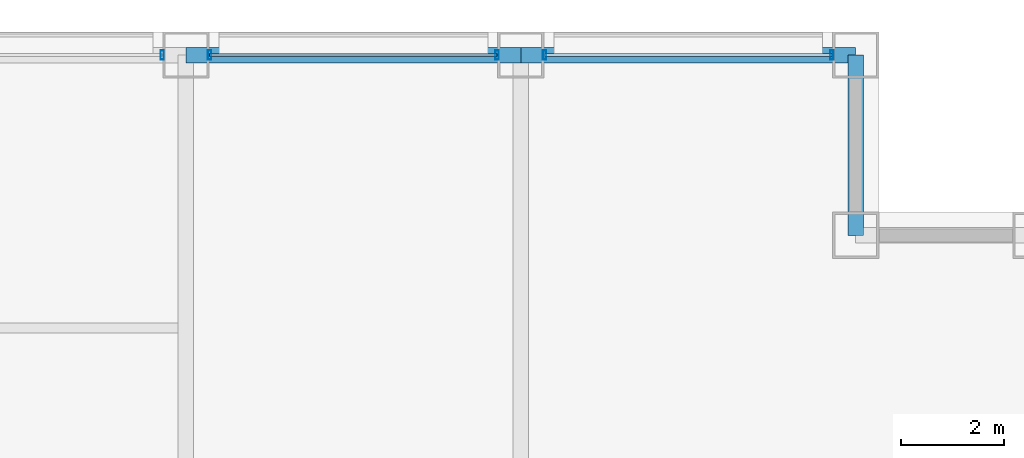
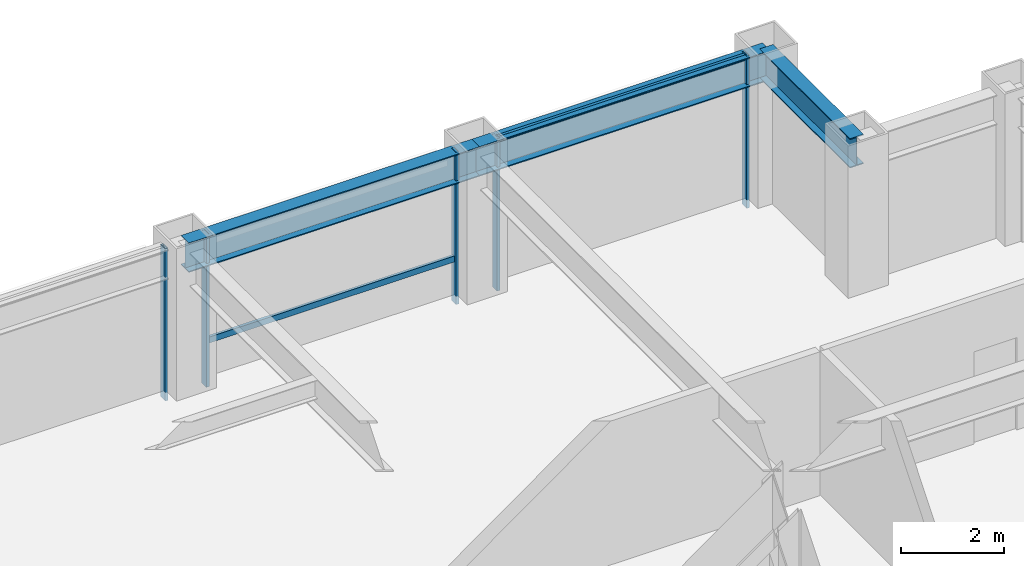
# One storey, part 19 of 29: 7 members, 3 beams, 3 elements without a shape of their own.
"""IFC4 building model written with IfcOpenShell, lengths in metres."""

import ifcopenshell
import ifcopenshell.guid

model = None  # the IFC model being written
_history = None  # IfcOwnerHistory: only IFC2X3 demands one
_inside = {}  # id of a spatial element -> (the spatial element, [elements in it])
_under = {}  # id of a project, library or spatial element -> (it, [spatial elements below it])
_declared = {}  # id of a project -> (the project, [libraries it declares])
_typed = {}  # id of a type object -> (the type object, [elements of that type])
_made_of = {}  # id of a material, layer set ... -> (it, [elements and type objects made of it])


def new_model(schema):
    """Start an empty IFC model of exactly this schema.

    Asked for "IFC4X3", IfcOpenShell would pick the latest addendum, in which some entities
    have other attributes; the version numbers below select the first issue.
    IFC2X3 requires an IfcOwnerHistory on every rooted entity: one is made here for all.
    """
    global model, _history
    if schema == "IFC4X3":
        model = ifcopenshell.file(schema_version=(4, 3, 0, 0))
    else:
        model = ifcopenshell.file(schema=schema)
    _inside.clear()
    _under.clear()
    _declared.clear()
    _typed.clear()
    _made_of.clear()
    _history = None
    if model.schema == "IFC2X3":
        org = make("IfcOrganization", Name="unknown")
        user = make(
            "IfcPersonAndOrganization",
            ThePerson=make("IfcPerson", FamilyName="unknown"),
            TheOrganization=org,
        )
        app = make(
            "IfcApplication",
            ApplicationDeveloper=org,
            Version="unknown",
            ApplicationFullName="unknown",
            ApplicationIdentifier="unknown",
        )
        _history = make(
            "IfcOwnerHistory",
            OwningUser=user,
            OwningApplication=app,
            ChangeAction="ADDED",
            CreationDate=0,
        )
    return model


def make(cls, **values):
    """One entity of the class cls with the attributes given. An attribute that is None is left unset."""
    return model.create_entity(
        cls, **{name: value for name, value in values.items() if value is not None}
    )


def rooted(cls, **values):
    """An entity with a GlobalId (a new one), such as an element, a storey or a relation."""
    return make(cls, GlobalId=ifcopenshell.guid.new(), OwnerHistory=_history, **values)


def si_unit(unit_type, name, prefix=None):
    """IfcSIUnit, for example si_unit("LENGTHUNIT", "METRE", prefix="MILLI")."""
    return make("IfcSIUnit", UnitType=unit_type, Prefix=prefix, Name=name)


def assignment(units):
    """IfcUnitAssignment: the units of a project."""
    return None if units is None else make("IfcUnitAssignment", Units=units)


def point(xyz):
    """IfcCartesianPoint."""
    return None if xyz is None else make("IfcCartesianPoint", Coordinates=xyz)


def direction(xyz):
    """IfcDirection."""
    return None if xyz is None else make("IfcDirection", DirectionRatios=xyz)


def frame(location, z_axis=None, x_axis=None):
    """IfcAxis2Placement3D, a coordinate frame: its origin and axes. An axis left out is left unset."""
    return make(
        "IfcAxis2Placement3D",
        Location=point(location),
        Axis=direction(z_axis),
        RefDirection=direction(x_axis),
    )


def frame_2d(location, x_axis=None):
    """IfcAxis2Placement2D, a coordinate frame in the plane: its origin and x axis."""
    return make(
        "IfcAxis2Placement2D", Location=point(location), RefDirection=direction(x_axis)
    )


def origin():
    """The frame at (0, 0, 0) with its axes left unset."""
    return frame((0.0, 0.0, 0.0))


def origin_2d():
    """The frame at (0, 0) in the plane with its x axis left unset."""
    return frame_2d((0.0, 0.0))


def place(relative_to, where):
    """IfcLocalPlacement: puts the frame where relative to a parent placement (None: the world)."""
    return make(
        "IfcLocalPlacement", PlacementRelTo=relative_to, RelativePlacement=where
    )


def context(
    kind, dimensions, precision=None, world=None, true_north=None, identifier=None
):
    """IfcGeometricRepresentationContext, for example the 3D "Model" context."""
    return make(
        "IfcGeometricRepresentationContext",
        ContextIdentifier=identifier,
        ContextType=kind,
        CoordinateSpaceDimension=dimensions,
        Precision=precision,
        WorldCoordinateSystem=world,
        TrueNorth=true_north,
    )


def subcontext(parent, identifier, kind, view, scale=None):
    """IfcGeometricRepresentationSubContext, for example "Body" below "Model"."""
    return make(
        "IfcGeometricRepresentationSubContext",
        ContextIdentifier=identifier,
        ContextType=kind,
        ParentContext=parent,
        TargetScale=scale,
        TargetView=view,
    )


def project(units=None, contexts=None):
    """IfcProject with its units and contexts."""
    return rooted(
        "IfcProject",
        Name="project",
        RepresentationContexts=contexts,
        UnitsInContext=assignment(units),
    )


def spatial(cls, under=None, at=None, **own):
    """A site, building, storey or space (cls), placed at a placement, below another one or the project."""
    s = rooted(cls, ObjectPlacement=at, **own)
    if under is not None:
        _under.setdefault(under.id(), (under, []))[1].append(s)
    return s


def profile(cls, at=None, kind="AREA", **sizes):
    """A parametric profile (cls). Its sizes go by their IFC names, for example OverallWidth=200.0."""
    return make(cls, ProfileType=kind, Position=at, **sizes)


def hollow_rectangle(**sizes):
    """IfcRectangleHollowProfileDef."""
    return profile("IfcRectangleHollowProfileDef", **sizes)


def i_section(**sizes):
    """IfcIShapeProfileDef."""
    return profile("IfcIShapeProfileDef", **sizes)


def extrude(swept, where, along, depth):
    """IfcExtrudedAreaSolid: the profile swept, set in the frame where, extruded along a direction by depth."""
    return make(
        "IfcExtrudedAreaSolid",
        SweptArea=swept,
        Position=where,
        ExtrudedDirection=direction(along),
        Depth=depth,
    )


def shape(context_of_items, identifier, shape_type, items):
    """IfcShapeRepresentation: the items that make up one representation, for example the "Body"."""
    return make(
        "IfcShapeRepresentation",
        ContextOfItems=context_of_items,
        RepresentationIdentifier=identifier,
        RepresentationType=shape_type,
        Items=items,
    )


def material(Name=None, Category=None):
    """IfcMaterial."""
    return make("IfcMaterial", Name=Name, Category=Category)


def layer(
    of_material, thickness, ventilated=None, Name=None, Category=None, Priority=None
):
    """IfcMaterialLayer: one layer of a wall or slab, of a material (None: an air gap)."""
    return make(
        "IfcMaterialLayer",
        Material=of_material,
        LayerThickness=thickness,
        IsVentilated=ventilated,
        Name=Name,
        Category=Category,
        Priority=Priority,
    )


def layer_set(layers, Name=None):
    """IfcMaterialLayerSet."""
    return make("IfcMaterialLayerSet", MaterialLayers=layers, LayerSetName=Name)


def material_profile(
    of_material, cross_section, Name=None, Category=None, Priority=None
):
    """IfcMaterialProfile: a cross section and its material."""
    return make(
        "IfcMaterialProfile",
        Name=Name,
        Material=of_material,
        Profile=cross_section,
        Priority=Priority,
        Category=Category,
    )


def profile_set(profiles, Name=None, composite=None):
    """IfcMaterialProfileSet."""
    return make(
        "IfcMaterialProfileSet",
        Name=Name,
        MaterialProfiles=profiles,
        CompositeProfile=composite,
    )


def made_of(thing, what):
    """Note that an element or type object is made of a material, layer set ...; save() writes the relation."""
    if what is not None:
        _made_of.setdefault(what.id(), (what, []))[1].append(thing)
    return thing


def type_object(cls, material=None, **own):
    """A type object (cls), such as IfcWallType, which elements share."""
    return made_of(rooted(cls, **own), material)


def element(
    cls,
    number,
    at=None,
    inside=None,
    cuts=None,
    type_object=None,
    material=None,
    context=None,
    identifier="Body",
    shape_type=None,
    held_by="IfcProductDefinitionShape",
    body=None,
    shapes=None,
    **own,
):
    """One element of the class cls, such as IfcWall. Its Tag is "e" and its number.

    at: its placement. inside: the storey or other place that contains it. cuts: it is an
    opening in that element (IfcRelVoidsElement). A single representation is given by context,
    identifier, shape_type and body (its items); several are given by shapes. held_by: the class
    of the entity that holds the representations. save() writes the other relations.
    """
    e = rooted(cls, Tag="e%d" % number, ObjectPlacement=at, **own)
    if body is not None:
        shapes = [shape(context, identifier, shape_type, body)]
    if shapes is not None:
        e.Representation = make(held_by, Representations=shapes)
    if inside is not None:
        _inside.setdefault(inside.id(), (inside, []))[1].append(e)
    if cuts is not None:
        rooted(
            "IfcRelVoidsElement", RelatingBuildingElement=cuts, RelatedOpeningElement=e
        )
    if type_object is not None:
        _typed.setdefault(type_object.id(), (type_object, []))[1].append(e)
    return made_of(e, material)


def aggregate(whole, parts):
    """IfcRelAggregates: a whole, such as a stair, and the parts it consists of."""
    return rooted("IfcRelAggregates", RelatingObject=whole, RelatedObjects=parts)


def save(model, path):
    """Write the relations noted so far, then the file.

    IfcRelAggregates (storeys below a building ...), IfcRelContainedInSpatialStructure (elements
    in a storey), IfcRelDefinesByType, IfcRelAssociatesMaterial and IfcRelDeclares: one each for
    every whole, place, type object, material and project.
    """
    for whole, parts in _under.values():
        aggregate(whole, parts)
    for where, things in _inside.values():
        rooted(
            "IfcRelContainedInSpatialStructure",
            RelatedElements=things,
            RelatingStructure=where,
        )
    for kind, things in _typed.values():
        rooted("IfcRelDefinesByType", RelatedObjects=things, RelatingType=kind)
    for what, things in _made_of.values():
        rooted("IfcRelAssociatesMaterial", RelatedObjects=things, RelatingMaterial=what)
    for by, libraries in _declared.values():
        rooted("IfcRelDeclares", RelatingContext=by, RelatedDefinitions=libraries)
    model.write(path)


model = new_model("IFC4")

# Units and contexts
model_context = context("Model", 3, precision=1e-05, world=origin(), true_north=direction((0.0, 1.0)))
body_context = subcontext(model_context, "Body", "Model", "MODEL_VIEW")
ifc_project = project(units=[si_unit("LENGTHUNIT", "METRE"), si_unit("AREAUNIT", "SQUARE_METRE"), si_unit("VOLUMEUNIT", "CUBIC_METRE"), si_unit("PLANEANGLEUNIT", "RADIAN"), si_unit("MASSUNIT", "GRAM", prefix="KILO")], contexts=[model_context])

# Site, building, storey
site_placement = place(None, origin())
site = spatial("IfcSite", under=ifc_project, at=site_placement, CompositionType="ELEMENT")
building_placement = place(site_placement, origin())
building = spatial("IfcBuilding", under=site, at=building_placement, Name="Brelmoor Portico Tower", CompositionType="ELEMENT")
storey_placement = place(building_placement, frame((0.0, 0.0, 63.60009765625)))
storey = spatial("IfcBuildingStorey", under=building, at=storey_placement, Name="L16", CompositionType="ELEMENT", Elevation=63.60009765625)

# Beams
ifc_material_1 = material(Name="Steel Q355B", Category="steel")
ifc_material_profile_1 = material_profile(ifc_material_1, i_section(OverallWidth=0.300048828125, OverallDepth=0.699951171875, WebThickness=0.012939453125, FlangeThickness=0.02392578125, at=origin_2d()), Name="HN 700x300x13x24")
ifc_profile_set_1 = profile_set([ifc_material_profile_1], Name="Steel Q355B")
beam_type = type_object("IfcBeamType", Name="BM-SP-700", PredefinedType="SPANDREL", material=ifc_profile_set_1)
for number, where, z_axis, x_axis, name in (
    (1, (8.050048828125, 21.550048828125, 3.0498046875), (1.0, 0.0, 0.0), (0.0, 1.0, 0.0), "L16 Perimeter Spandrel Beam SP-13"),
    (2, (14.550048828125, 21.550048828125, 3.0498046875), (1.0, 0.0, 0.0), (0.0, 1.0, 0.0), "L16 Perimeter Spandrel Beam SP-14"),
):
    element("IfcBeam", number, at=place(storey_placement, frame(where, z_axis=z_axis, x_axis=x_axis)), inside=storey, type_object=beam_type, Name=name, PredefinedType="SPANDREL", context=body_context, shape_type="SweptSolid", body=[
        extrude(i_section(OverallWidth=0.300048828125, OverallDepth=0.699951171875, WebThickness=0.012939453125, FlangeThickness=0.02392578125, at=origin_2d()), origin(), (0.0, 0.0, 1.0), 6.5),
    ])
beam_placement = place(storey_placement, frame((21.050048828125, 18.050048828125, 3.0498046875), z_axis=(0.0, 1.0, 0.0), x_axis=(-1.0, 0.0, 0.0)))
element("IfcBeam", 3, at=beam_placement, inside=storey, type_object=beam_type, Name="L16 Perimeter Spandrel Beam SP-21", PredefinedType="SPANDREL", context=body_context, shape_type="SweptSolid", body=[
    extrude(i_section(OverallWidth=0.300048828125, OverallDepth=0.699951171875, WebThickness=0.012939453125, FlangeThickness=0.02392578125, at=origin_2d()), origin(), (0.0, 0.0, 1.0), 3.5),
])

# Curtain wall, member
ifc_material_2 = material(Name="Anodised Aluminium Alloy 6063-T6", Category="aluminium")
ifc_layer_1 = layer(ifc_material_2, 0.179931640625)
ifc_layer_set_1 = layer_set([ifc_layer_1], Name="Anodised Aluminium Alloy 6063-T6")
curtain_wall_type_1 = type_object("IfcCurtainWallType", Name="CW-TOWER-Z1-XB", PredefinedType="NOTDEFINED", material=ifc_layer_set_1)
curtain_wall_1_placement = place(storey_placement, origin())
curtain_wall_1 = element("IfcCurtainWall", 4, at=curtain_wall_1_placement, inside=storey, type_object=curtain_wall_type_1, Name="L16 Curtain Wall CW-L16-02-3", PredefinedType="NOTDEFINED")
ifc_material_profile_2 = material_profile(ifc_material_2, hollow_rectangle(XDim=0.06494140625, YDim=0.179931640625, WallThickness=0.00390625, at=origin_2d()), Name="ALU MULLION 65x180")
ifc_profile_set_2 = profile_set([ifc_material_profile_2], Name="Anodised Aluminium Alloy 6063-T6")
member_type_1 = type_object("IfcMemberType", Name="MB-CW-MULL-180", PredefinedType="MULLION", material=ifc_profile_set_2)
member_1_placement = place(storey_placement, frame((7.590087890625, 21.550048828125, -0.2001953125), z_axis=(0.0, 0.0, 1.0), x_axis=(1.0, 0.0, 0.0)))
member_1 = element("IfcMember", 5, at=member_1_placement, type_object=member_type_1, Name="CW-L16-02-3 Mullion 01", PredefinedType="MULLION", context=body_context, shape_type="SweptSolid", body=[
    extrude(hollow_rectangle(XDim=0.06494140625, YDim=0.179931640625, WallThickness=0.00390625, at=origin_2d()), origin(), (0.0, 0.0, 1.0), 3.60009765625),
])
aggregate(curtain_wall_1, [member_1])

# Curtain wall, members
ifc_layer_2 = layer(ifc_material_2, 0.179931640625)
ifc_layer_set_2 = layer_set([ifc_layer_2], Name="Anodised Aluminium Alloy 6063-T6")
curtain_wall_type_2 = type_object("IfcCurtainWallType", Name="CW-TOWER-Z1", PredefinedType="NOTDEFINED", material=ifc_layer_set_2)
curtain_wall_2_placement = place(storey_placement, origin())
curtain_wall_2 = element("IfcCurtainWall", 6, at=curtain_wall_2_placement, inside=storey, type_object=curtain_wall_type_2, Name="L16 Curtain Wall CW-L16-02-4", PredefinedType="NOTDEFINED")
member_2_placement = place(storey_placement, frame((8.510009765625, 21.550048828125, -0.2001953125), z_axis=(0.0, 0.0, 1.0), x_axis=(1.0, 0.0, 0.0)))
member_2 = element("IfcMember", 7, at=member_2_placement, type_object=member_type_1, Name="CW-L16-02-4 Mullion 00", PredefinedType="MULLION", context=body_context, shape_type="SweptSolid", body=[
    extrude(hollow_rectangle(XDim=0.06494140625, YDim=0.179931640625, WallThickness=0.00390625, at=origin_2d()), origin(), (0.0, 0.0, 1.0), 3.60009765625),
])
member_3_placement = place(storey_placement, frame((14.090087890625, 21.550048828125, -0.2001953125), z_axis=(0.0, 0.0, 1.0), x_axis=(1.0, 0.0, 0.0)))
member_3 = element("IfcMember", 8, at=member_3_placement, type_object=member_type_1, Name="CW-L16-02-4 Mullion 01", PredefinedType="MULLION", context=body_context, shape_type="SweptSolid", body=[
    extrude(hollow_rectangle(XDim=0.06494140625, YDim=0.179931640625, WallThickness=0.00390625, at=origin_2d()), origin(), (0.0, 0.0, 1.0), 3.60009765625),
])

curtain_wall_3_placement = place(storey_placement, origin())
curtain_wall_3 = element("IfcCurtainWall", 9, at=curtain_wall_3_placement, inside=storey, type_object=curtain_wall_type_1, Name="L16 Curtain Wall CW-L16-02-5", PredefinedType="NOTDEFINED")
member_4_placement = place(storey_placement, frame((15.010009765625, 21.550048828125, -0.2001953125), z_axis=(0.0, 0.0, 1.0), x_axis=(1.0, 0.0, 0.0)))
member_4 = element("IfcMember", 10, at=member_4_placement, type_object=member_type_1, Name="CW-L16-02-5 Mullion 00", PredefinedType="MULLION", context=body_context, shape_type="SweptSolid", body=[
    extrude(hollow_rectangle(XDim=0.06494140625, YDim=0.179931640625, WallThickness=0.00390625, at=origin_2d()), origin(), (0.0, 0.0, 1.0), 3.60009765625),
])
member_5_placement = place(storey_placement, frame((20.590087890625, 21.550048828125, -0.2001953125), z_axis=(0.0, 0.0, 1.0), x_axis=(1.0, 0.0, 0.0)))
member_5 = element("IfcMember", 11, at=member_5_placement, type_object=member_type_1, Name="CW-L16-02-5 Mullion 01", PredefinedType="MULLION", context=body_context, shape_type="SweptSolid", body=[
    extrude(hollow_rectangle(XDim=0.06494140625, YDim=0.179931640625, WallThickness=0.00390625, at=origin_2d()), origin(), (0.0, 0.0, 1.0), 3.60009765625),
])

# Member
ifc_material_profile_3 = material_profile(ifc_material_2, hollow_rectangle(XDim=0.06494140625, YDim=0.139892578125, WallThickness=0.00390625, at=origin_2d()), Name="ALU TRANSOM 65x140")
ifc_profile_set_3 = profile_set([ifc_material_profile_3], Name="Anodised Aluminium Alloy 6063-T6")
member_type_2 = type_object("IfcMemberType", Name="MB-CW-TRAN-140", PredefinedType="USERDEFINED", material=ifc_profile_set_3)
member_6_placement = place(storey_placement, frame((8.510009765625, 21.550048828125, 0.849853515625), z_axis=(1.0, 0.0, 0.0), x_axis=(0.0, 1.0, 0.0)))
member_6 = element("IfcMember", 12, at=member_6_placement, type_object=member_type_2, Name="CW-L16-02-4 Transom 1-00", ObjectType="TRANSOM", PredefinedType="USERDEFINED", context=body_context, shape_type="SweptSolid", body=[
    extrude(hollow_rectangle(XDim=0.06494140625, YDim=0.139892578125, WallThickness=0.00390625, at=origin_2d()), origin(), (0.0, 0.0, 1.0), 5.580078125),
])

aggregate(curtain_wall_2, [member_2, member_3, member_6])

member_7_placement = place(storey_placement, frame((15.010009765625, 21.550048828125, 3.329833984375), z_axis=(1.0, 0.0, 0.0), x_axis=(0.0, 1.0, 0.0)))
member_7 = element("IfcMember", 13, at=member_7_placement, type_object=member_type_2, Name="CW-L16-02-5 Transom 1-00", ObjectType="TRANSOM", PredefinedType="USERDEFINED", context=body_context, shape_type="SweptSolid", body=[
    extrude(hollow_rectangle(XDim=0.06494140625, YDim=0.139892578125, WallThickness=0.00390625, at=origin_2d()), origin(), (0.0, 0.0, 1.0), 5.580078125),
])

aggregate(curtain_wall_3, [member_4, member_5, member_7])

save(model, "model.ifc")
